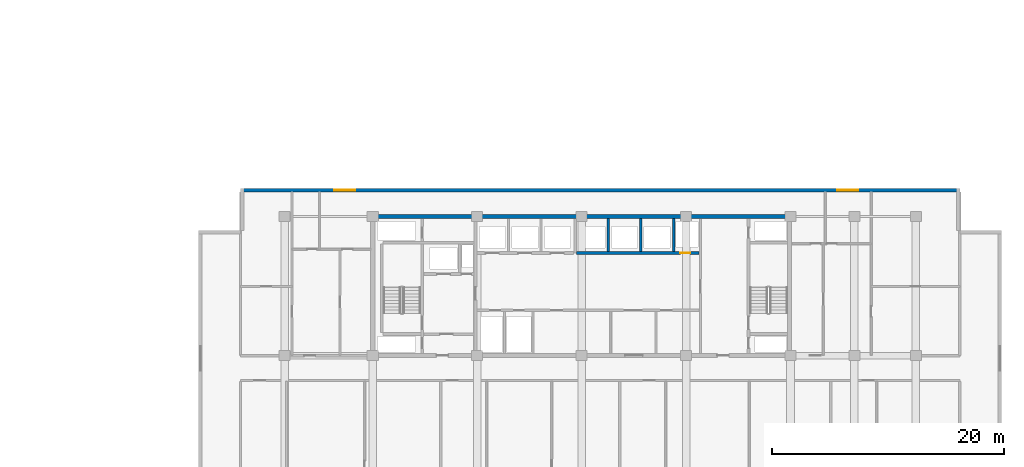
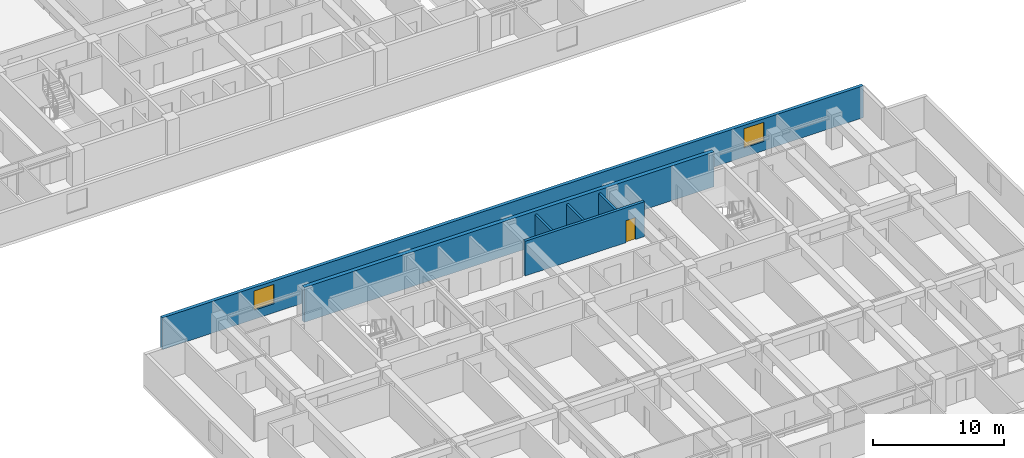
# One storey, part 8 of 24: 6 walls, 2 windows, 1 door, 3 openings.
"""IFC4 building model written with IfcOpenShell, lengths in metres."""

from ifc_helpers import new_model, si_unit, direction, frame, frame_2d, origin, place, context, subcontext, project, spatial, rectangle, extrude, material, layer, layer_set, type_object, element, fill, save


model = new_model("IFC4")

# Units and contexts
model_context = context("Model", 3, precision=1e-05, world=origin(), true_north=direction((0.0, 1.0)))
body_context = subcontext(model_context, "Body", "Model", "MODEL_VIEW")
ifc_project = project(units=[si_unit("LENGTHUNIT", "METRE"), si_unit("AREAUNIT", "SQUARE_METRE"), si_unit("VOLUMEUNIT", "CUBIC_METRE"), si_unit("PLANEANGLEUNIT", "RADIAN"), si_unit("MASSUNIT", "GRAM", prefix="KILO")], contexts=[model_context])

# Site, building, storey
site_placement = place(None, origin())
site = spatial("IfcSite", under=ifc_project, at=site_placement, CompositionType="ELEMENT")
building_placement = place(site_placement, origin())
building = spatial("IfcBuilding", under=site, at=building_placement, Name="Korimba Cascade Residences", CompositionType="ELEMENT")
storey_placement = place(building_placement, frame((0.0, 0.0, 43.5)))
storey = spatial("IfcBuildingStorey", under=building, at=storey_placement, Name="L11", CompositionType="ELEMENT", Elevation=43.5)

# Wall, openings, windows
ifc_material_1 = material(Name="Precast concrete C40/50", Category="concrete")
ifc_layer_1 = layer(ifc_material_1, 0.300048828125)
ifc_layer_set_1 = layer_set([ifc_layer_1], Name="Precast concrete C40/50")
wall_type_1 = type_object("IfcWallType", Name="EW-STONE-300", PredefinedType="STANDARD", material=ifc_layer_set_1)
wall_1_placement = place(storey_placement, frame((132.699951171875, 32.64990234375, 0.0), z_axis=(0.0, 0.0, 1.0), x_axis=(-1.0, 0.0, 0.0)))
wall_1 = element("IfcWall", 1, at=wall_1_placement, inside=storey, type_object=wall_type_1, Name="L11 T2 Perimeter Stone Wall E06", PredefinedType="STANDARD", context=body_context, shape_type="SweptSolid", body=[
    extrude(rectangle(XDim=62.0, YDim=0.300048828125, at=frame_2d((31.0, 0.0))), origin(), (0.0, 0.0, 1.0), 2.969970703125),
])
opening_1_placement = place(wall_1_placement, frame((52.125, 0.0, 0.85009765625)))
opening_1 = element("IfcOpeningElement", 2, at=opening_1_placement, cuts=wall_1, Name="Opening W-02", PredefinedType="OPENING", context=body_context, shape_type="SweptSolid", body=[
    extrude(rectangle(XDim=1.800048828125, YDim=1.800048828125, at=frame_2d((0.89990234375, 0.89990234375))), frame((0.0, 0.16015625, 0.0), z_axis=(0.0, -1.0, 0.0), x_axis=(1.0, 0.0, 0.0)), (0.0, 0.0, 1.0), 0.320068359375),
])
opening_2_placement = place(wall_1_placement, frame((8.77490234375, 0.0, 0.85009765625)))
opening_2 = element("IfcOpeningElement", 3, at=opening_2_placement, cuts=wall_1, Name="Opening W-02", PredefinedType="OPENING", context=body_context, shape_type="SweptSolid", body=[
    extrude(rectangle(XDim=1.800048828125, YDim=1.800048828125, at=frame_2d((0.89990234375, 0.89990234375))), frame((0.0, 0.16015625, 0.0), z_axis=(0.0, -1.0, 0.0), x_axis=(1.0, 0.0, 0.0)), (0.0, 0.0, 1.0), 0.320068359375),
])
ifc_material_2 = material(Name="Double-Glazed Aluminium Window", Category="aluminium")
window_type = type_object("IfcWindowType", Name="WIN-BED-1800", PartitioningType="SINGLE_PANEL", PredefinedType="WINDOW", material=ifc_material_2)
window_1_placement = place(opening_1_placement, origin())
window_1 = element("IfcWindow", 4, at=window_1_placement, inside=storey, type_object=window_type, Name="L11 T2 North Corner Bedroom Window 1", OverallHeight=1.800048828125, OverallWidth=1.800048828125, PartitioningType="SINGLE_PANEL", PredefinedType="WINDOW", context=body_context, shape_type="SweptSolid", body=[
    extrude(rectangle(XDim=1.800048828125, YDim=1.800048828125, at=frame_2d((0.89990234375, 0.89990234375))), frame((0.0, 0.030029296875, 0.0), z_axis=(0.0, -1.0, 0.0), x_axis=(1.0, 0.0, 0.0)), (0.0, 0.0, 1.0), 0.06005859375),
])
fill(opening_1, window_1)
window_2_placement = place(opening_2_placement, origin())
window_2 = element("IfcWindow", 5, at=window_2_placement, inside=storey, type_object=window_type, Name="L11 T2 North Corner Bedroom Window 2", OverallHeight=1.800048828125, OverallWidth=1.800048828125, PartitioningType="SINGLE_PANEL", PredefinedType="WINDOW", context=body_context, shape_type="SweptSolid", body=[
    extrude(rectangle(XDim=1.800048828125, YDim=1.800048828125, at=frame_2d((0.89990234375, 0.89990234375))), frame((0.0, 0.030029296875, 0.0), z_axis=(0.0, -1.0, 0.0), x_axis=(1.0, 0.0, 0.0)), (0.0, 0.0, 1.0), 0.06005859375),
])
fill(opening_2, window_2)

# Walls
ifc_material_3 = material(Name="Concrete C65/80", Category="concrete")
ifc_layer_2 = layer(ifc_material_3, 0.35009765625)
ifc_layer_set_2 = layer_set([ifc_layer_2], Name="Concrete C65/80")
wall_type_2 = type_object("IfcWallType", Name="WAL-CORE-350", PredefinedType="SHEAR", material=ifc_layer_set_2)
wall_2_placement = place(storey_placement, frame((81.925048828125, 30.39990234375, 0.0), z_axis=(0.0, 0.0, 1.0), x_axis=(1.0, 0.0, 0.0)))
element("IfcWall", 6, at=wall_2_placement, inside=storey, type_object=wall_type_2, Name="L11 Core Shear Wall CW-L11-T2-N", PredefinedType="SHEAR", context=body_context, shape_type="SweptSolid", body=[
    extrude(rectangle(XDim=36.264892578125, YDim=0.35009765625, at=frame_2d((18.13232421875, 0.0))), origin(), (0.0, 0.0, 1.0), 3.25),
])
ifc_material_4 = material(Name="Concrete C40/50", Category="concrete")
ifc_layer_3 = layer(ifc_material_4, 0.199951171875)
ifc_layer_set_3 = layer_set([ifc_layer_3], Name="Concrete C40/50")
wall_type_3 = type_object("IfcWallType", Name="WAL-PART-200", PredefinedType="PARTITIONING", material=ifc_layer_set_3)
for number, where, z_axis, x_axis, name in (
    (7, (102.39990234375, 27.3798828125, 0.0), (0.0, 0.0, 1.0), (0.0, 1.0, 0.0), "L11 Partition Wall CW-L11-T2-B2D1"),
    (8, (105.199951171875, 27.3798828125, 0.0), (0.0, 0.0, 1.0), (0.0, 1.0, 0.0), "L11 Partition Wall CW-L11-T2-B2D2"),
    (9, (108.050048828125, 27.3798828125, 0.0), (0.0, 0.0, 1.0), (0.0, 1.0, 0.0), "L11 Partition Wall CW-L11-T2-B2D3"),
):
    element("IfcWall", number, at=place(storey_placement, frame(where, z_axis=z_axis, x_axis=x_axis)), inside=storey, type_object=wall_type_3, Name=name, PredefinedType="PARTITIONING", context=body_context, shape_type="SweptSolid", body=[
        extrude(rectangle(XDim=2.820068359375, YDim=0.199951171875, at=frame_2d((1.41015625, 0.0))), origin(), (0.0, 0.0, 1.0), 2.969970703125),
    ])

# Wall, opening, door
ifc_material_5 = material(Name="Concrete C50/60", Category="concrete")
ifc_layer_4 = layer(ifc_material_5, 0.25)
ifc_layer_set_4 = layer_set([ifc_layer_4], Name="Concrete C50/60")
wall_type_4 = type_object("IfcWallType", Name="WAL-SHAFT-250", PredefinedType="SHEAR", material=ifc_layer_set_4)
wall_3_placement = place(storey_placement, frame((99.679931640625, 27.25, 0.0), z_axis=(0.0, 0.0, 1.0), x_axis=(1.0, 0.0, 0.0)))
wall_3 = element("IfcWall", 10, at=wall_3_placement, inside=storey, type_object=wall_type_4, Name="L11 Core Shear Wall CW-L11-T2-B2S", PredefinedType="SHEAR", context=body_context, shape_type="SweptSolid", body=[
    extrude(rectangle(XDim=10.5400390625, YDim=0.25, at=frame_2d((5.27001953125, 0.0))), origin(), (0.0, 0.0, 1.0), 3.25),
])
opening_3_placement = place(wall_3_placement, frame((8.919921875, 0.0, 0.0)))
opening_3 = element("IfcOpeningElement", 11, at=opening_3_placement, cuts=wall_3, Name="Opening D-RS1", PredefinedType="OPENING", context=body_context, shape_type="SweptSolid", body=[
    extrude(rectangle(XDim=0.85009765625, YDim=2.050048828125, at=frame_2d((0.425048828125, 1.02490234375))), frame((0.0, 0.135009765625, 0.0), z_axis=(0.0, -1.0, 0.0), x_axis=(1.0, 0.0, 0.0)), (0.0, 0.0, 1.0), 0.27001953125),
])
ifc_material_6 = material(Name="Fire-Rated Steel Riser Access Door", Category="steel")
door_type = type_object("IfcDoorType", Name="DR-FD60-850", OperationType="NOTDEFINED", PredefinedType="DOOR", material=ifc_material_6)
door_placement = place(opening_3_placement, origin())
door = element("IfcDoor", 12, at=door_placement, inside=storey, type_object=door_type, Name="L11 T2 Duct Door", OperationType="SINGLE_SWING_LEFT", OverallHeight=2.050048828125, OverallWidth=0.85009765625, PredefinedType="DOOR", context=body_context, shape_type="SweptSolid", body=[
    extrude(rectangle(XDim=0.85009765625, YDim=2.050048828125, at=frame_2d((0.425048828125, 1.02490234375))), frame((0.0, 0.02490234375, 0.0), z_axis=(0.0, -1.0, 0.0), x_axis=(1.0, 0.0, 0.0)), (0.0, 0.0, 1.0), 0.050048828125),
])
fill(opening_3, door)

save(model, "model.ifc")
